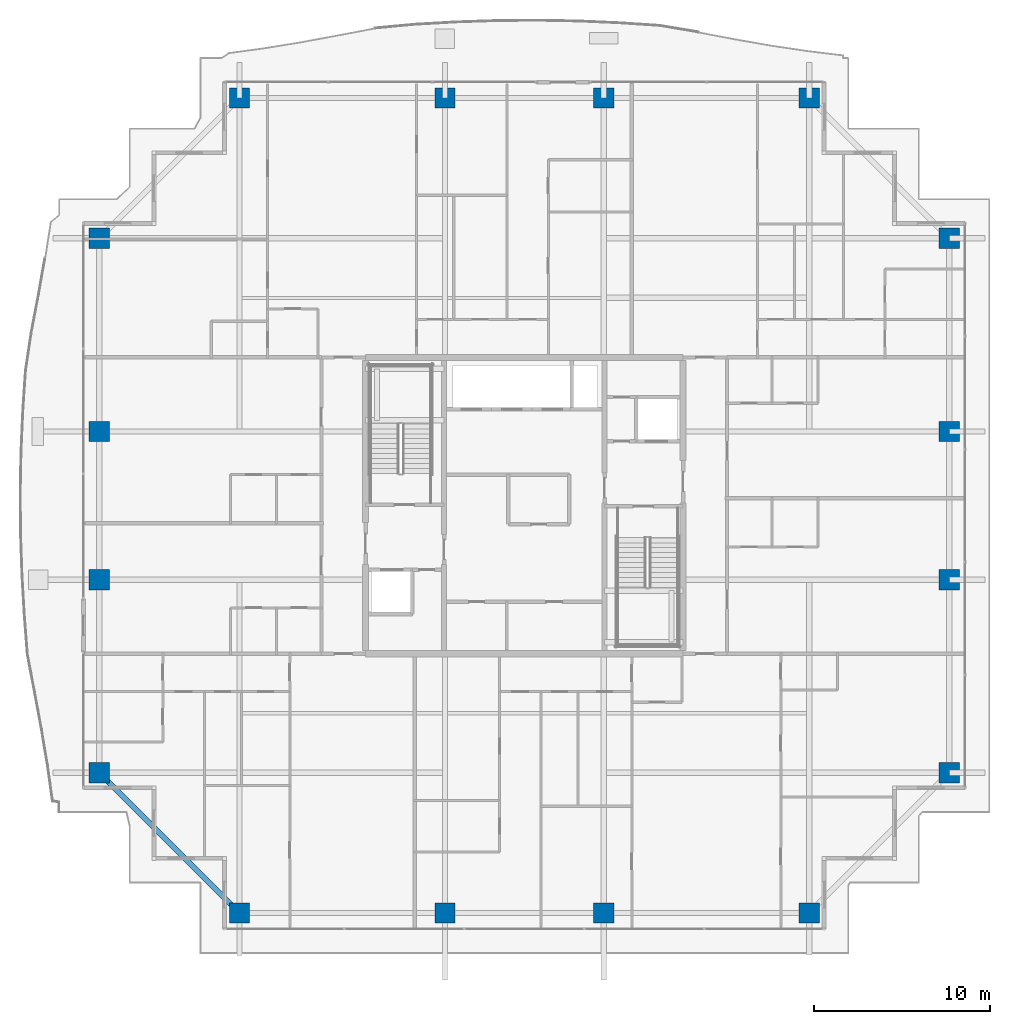
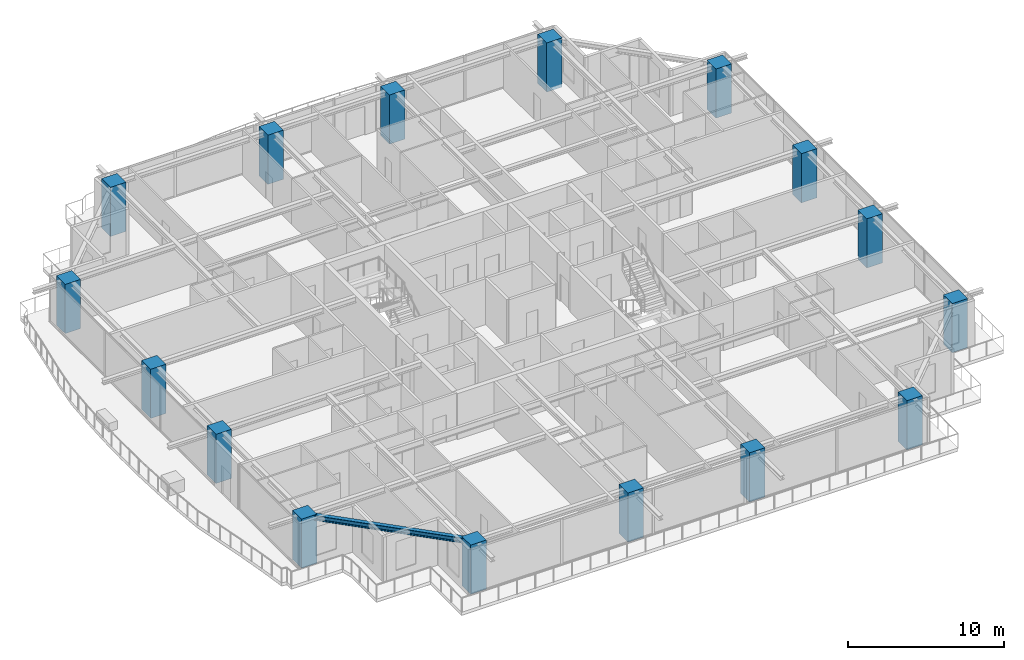
# One storey, part 1 of 39: 16 columns, 1 beam.
"""IFC4 building model written with IfcOpenShell, lengths in metres."""

from ifc_helpers import new_model, si_unit, direction, frame, origin, origin_2d, place, context, subcontext, project, spatial, rectangle, i_section, extrude, source, transform, mapped, material, material_profile, profile_set, type_object, element, save


model = new_model("IFC4")

# Units and contexts
model_context = context("Model", 3, precision=1e-05, world=origin(), true_north=direction((0.0, 1.0)))
body_context = subcontext(model_context, "Body", "Model", "MODEL_VIEW")
ifc_project = project(units=[si_unit("LENGTHUNIT", "METRE"), si_unit("AREAUNIT", "SQUARE_METRE"), si_unit("VOLUMEUNIT", "CUBIC_METRE"), si_unit("PLANEANGLEUNIT", "RADIAN"), si_unit("MASSUNIT", "GRAM", prefix="KILO")], contexts=[model_context])

# Site, building, storey
site_placement = place(None, origin())
site = spatial("IfcSite", under=ifc_project, at=site_placement, CompositionType="ELEMENT")
building_placement = place(site_placement, origin())
building = spatial("IfcBuilding", under=site, at=building_placement, Name="Serunith Strait Residences", CompositionType="ELEMENT")
storey_placement = place(building_placement, frame((0.0, 0.0, 222.0)))
storey = spatial("IfcBuildingStorey", under=building, at=storey_placement, Name="L55", CompositionType="ELEMENT", Elevation=222.0)

# Columns
ifc_material_1 = material(Name="Concrete C80/95", Category="concrete")
ifc_material_profile_1 = material_profile(ifc_material_1, rectangle(XDim=1.14990234375, YDim=1.14990234375, at=origin_2d()), Name="RC 1150x1150")
ifc_profile_set_1 = profile_set([ifc_material_profile_1], Name="Concrete C80/95")
column_type = type_object("IfcColumnType", Name="COL-RC-1150", PredefinedType="COLUMN", material=ifc_profile_set_1)
shared_shape_1 = source(origin(), body_context, "Body", "SweptSolid", [
    extrude(rectangle(XDim=1.14990234375, YDim=1.14990234375, at=origin_2d()), origin(), (0.0, 0.0, 1.0), 3.85009765625),
])
for number, where, z_axis, x_axis, name in (
    (1, (16.25, 2.10009765625, -0.260009765625), (0.0, 0.0, 1.0), (1.0, 0.0, 0.0), "L55 Tower Mega-Column TC-S1"),
    (2, (27.89990234375, 2.10009765625, -0.260009765625), (0.0, 0.0, 1.0), (1.0, 0.0, 0.0), "L55 Tower Mega-Column TC-S2"),
    (3, (36.89990234375, 2.10009765625, -0.260009765625), (0.0, 0.0, 1.0), (1.0, 0.0, 0.0), "L55 Tower Mega-Column TC-S3"),
    (4, (48.550048828125, 2.10009765625, -0.260009765625), (0.0, 0.0, 1.0), (1.0, 0.0, 0.0), "L55 Tower Mega-Column TC-S4"),
    (5, (16.25, 48.300048828125, -0.260009765625), (0.0, 0.0, 1.0), (1.0, 0.0, 0.0), "L55 Tower Mega-Column TC-N1"),
    (6, (27.89990234375, 48.300048828125, -0.260009765625), (0.0, 0.0, 1.0), (1.0, 0.0, 0.0), "L55 Tower Mega-Column TC-N2"),
    (7, (36.89990234375, 48.300048828125, -0.260009765625), (0.0, 0.0, 1.0), (1.0, 0.0, 0.0), "L55 Tower Mega-Column TC-N3"),
    (8, (48.550048828125, 48.300048828125, -0.260009765625), (0.0, 0.0, 1.0), (1.0, 0.0, 0.0), "L55 Tower Mega-Column TC-N4"),
    (9, (56.5, 10.050048828125, -0.260009765625), (0.0, 0.0, 1.0), (1.0, 0.0, 0.0), "L55 Tower Mega-Column TC-E1"),
    (10, (56.5, 21.0, -0.260009765625), (0.0, 0.0, 1.0), (1.0, 0.0, 0.0), "L55 Tower Mega-Column TC-E2"),
    (11, (56.5, 29.39990234375, -0.260009765625), (0.0, 0.0, 1.0), (1.0, 0.0, 0.0), "L55 Tower Mega-Column TC-E3"),
    (12, (56.5, 40.35009765625, -0.260009765625), (0.0, 0.0, 1.0), (1.0, 0.0, 0.0), "L55 Tower Mega-Column TC-E4"),
    (13, (8.300048828125, 10.050048828125, -0.260009765625), (0.0, 0.0, 1.0), (1.0, 0.0, 0.0), "L55 Tower Mega-Column TC-W1"),
    (14, (8.300048828125, 21.0, -0.260009765625), (0.0, 0.0, 1.0), (1.0, 0.0, 0.0), "L55 Tower Mega-Column TC-W2"),
    (15, (8.300048828125, 29.39990234375, -0.260009765625), (0.0, 0.0, 1.0), (1.0, 0.0, 0.0), "L55 Tower Mega-Column TC-W3"),
    (16, (8.300048828125, 40.35009765625, -0.260009765625), (0.0, 0.0, 1.0), (1.0, 0.0, 0.0), "L55 Tower Mega-Column TC-W4"),
):
    element("IfcColumn", number, at=place(storey_placement, frame(where, z_axis=z_axis, x_axis=x_axis)), inside=storey, type_object=column_type, Name=name, PredefinedType="COLUMN", context=body_context, shape_type="MappedRepresentation", body=[
        mapped(shared_shape_1, transform((0.0, 0.0, 0.0), scale=1.0)),
    ])

# Beam
ifc_material_2 = material(Name="Steel S355J2", Category="steel")
ifc_material_profile_2 = material_profile(ifc_material_2, i_section(OverallWidth=0.300048828125, OverallDepth=0.39990234375, WebThickness=0.013427734375, FlangeThickness=0.02392578125, FilletRadius=0.027099609375, at=origin_2d()), Name="HEB 400")
ifc_profile_set_2 = profile_set([ifc_material_profile_2], Name="Steel S355J2")
beam_type = type_object("IfcBeamType", Name="BM-HEB400", PredefinedType="BEAM", material=ifc_profile_set_2)
shared_shape_2 = source(origin(), body_context, "Body", "SweptSolid", [
    extrude(i_section(OverallWidth=0.300048828125, OverallDepth=0.39990234375, WebThickness=0.013427734375, FlangeThickness=0.02392578125, FilletRadius=0.027099609375, at=origin_2d()), origin(), (0.0, 0.0, 1.0), 11.242919921875),
])
beam_placement = place(storey_placement, frame((8.300048828125, 10.050048828125, 3.35693359375), z_axis=(0.707106781187, -0.707106781187, 0.0), x_axis=(0.707106781187, 0.707106781187, 0.0)))
element("IfcBeam", 17, at=beam_placement, inside=storey, type_object=beam_type, Name="L55 Perimeter Ring Beam 16", PredefinedType="BEAM", context=body_context, shape_type="MappedRepresentation", body=[
    mapped(shared_shape_2, transform((0.0, 0.0, 0.0), scale=1.0)),
])

save(model, "model.ifc")
